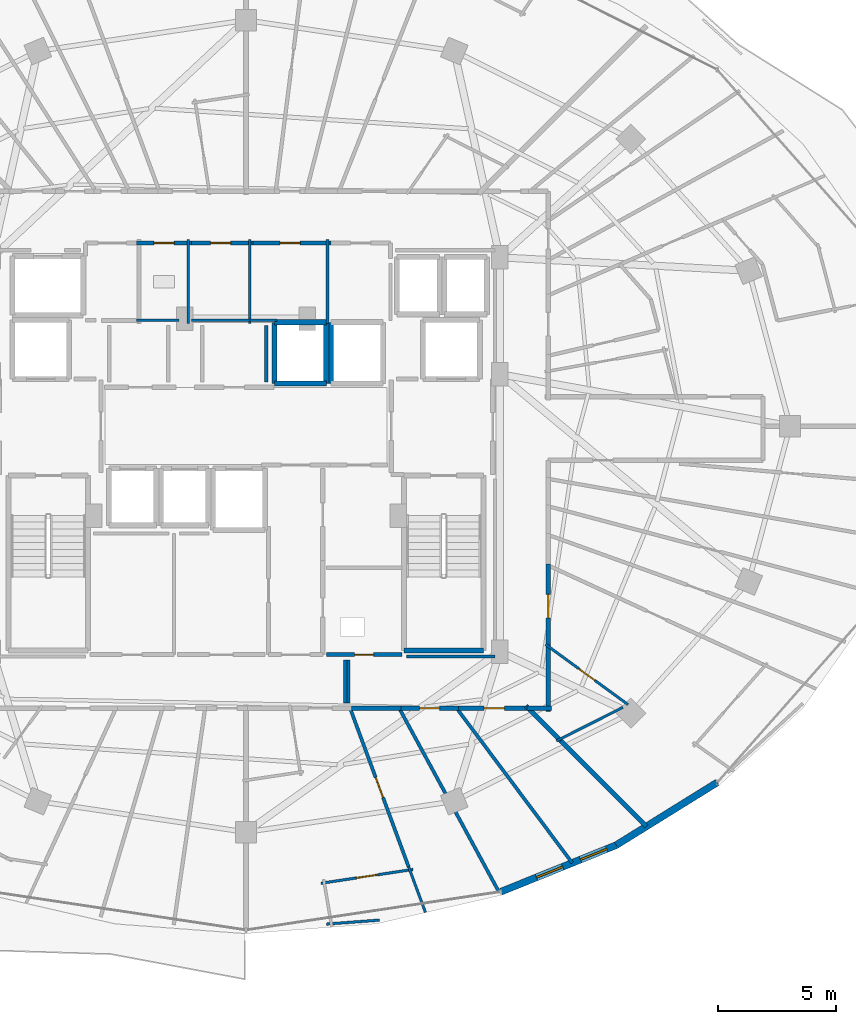
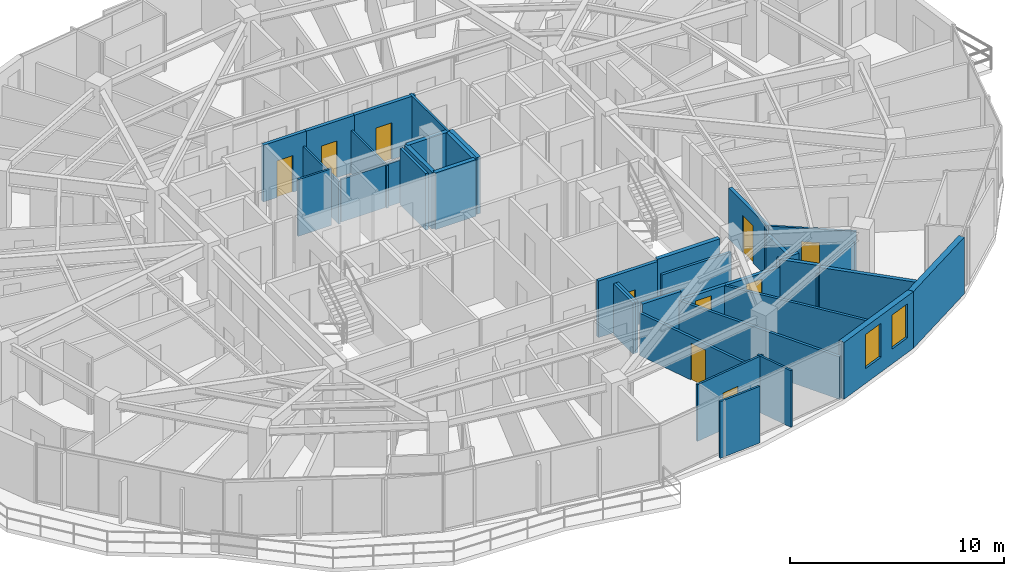
# One storey, part 27 of 34: 38 walls, 10 doors, 2 windows, 12 openings.
"""IFC4 building model written with IfcOpenShell, lengths in metres."""

from ifc_helpers import new_model, si_unit, direction, frame, frame_2d, origin, place, context, subcontext, project, spatial, rectangle, extrude, material, layer, layer_set, type_object, element, fill, save


model = new_model("IFC4")

# Units and contexts
model_context = context("Model", 3, precision=1e-05, world=origin(), true_north=direction((0.0, 1.0)))
body_context = subcontext(model_context, "Body", "Model", "MODEL_VIEW")
ifc_project = project(units=[si_unit("LENGTHUNIT", "METRE"), si_unit("AREAUNIT", "SQUARE_METRE"), si_unit("VOLUMEUNIT", "CUBIC_METRE"), si_unit("PLANEANGLEUNIT", "RADIAN"), si_unit("MASSUNIT", "GRAM", prefix="KILO")], contexts=[model_context])

# Site, building, storey
site_placement = place(None, origin())
site = spatial("IfcSite", under=ifc_project, at=site_placement, CompositionType="ELEMENT")
building_placement = place(site_placement, origin())
building = spatial("IfcBuilding", under=site, at=building_placement, Name="Vorneva Point Tower", CompositionType="ELEMENT")
storey_placement = place(building_placement, frame((0.0, 0.0, 186.10009765625)))
storey = spatial("IfcBuildingStorey", under=building, at=storey_placement, Name="L50", CompositionType="ELEMENT", Elevation=186.10009765625)

# Wall, openings, windows
ifc_material_1 = material(Name="Precast concrete B50 (C40/50)", Category="concrete")
ifc_layer_1 = layer(ifc_material_1, 0.300048828125)
ifc_layer_set_1 = layer_set([ifc_layer_1], Name="Precast concrete B50 (C40/50)")
wall_type_1 = type_object("IfcWallType", Name="WL-EXT-300", PredefinedType="STANDARD", material=ifc_layer_set_1)
wall_1_placement = place(storey_placement, frame((48.80322265625, 6.275146484375, 0.0), z_axis=(0.0, 0.0, 1.0), x_axis=(0.927111094334, 0.374786630981, 0.0)))
wall_1 = element("IfcWall", 1, at=wall_1_placement, inside=storey, type_object=wall_type_1, Name="L50 Pale-Metal Facade Spandrel Wall 14.1", PredefinedType="STANDARD", context=body_context, shape_type="SweptSolid", body=[
    extrude(rectangle(XDim=5.26416015625, YDim=0.300048828125, at=frame_2d((2.632080078125, 0.0))), origin(), (0.0, 0.0, 1.0), 3.239990234375),
])
opening_1_placement = place(wall_1_placement, frame((1.6181640625, 0.0, 0.85009765625)))
opening_1 = element("IfcOpeningElement", 2, at=opening_1_placement, cuts=wall_1, Name="Opening W-04", PredefinedType="OPENING", context=body_context, shape_type="SweptSolid", body=[
    extrude(rectangle(XDim=1.199951171875, YDim=1.949951171875, at=frame_2d((0.60009765625, 0.97509765625))), frame((0.0, 0.1650390625, 0.0), z_axis=(0.0, -1.0, 0.0), x_axis=(1.0, 0.0, 0.0)), (0.0, 0.0, 1.0), 0.329833984375),
])
opening_2_placement = place(wall_1_placement, frame((3.62841796875, 0.0, 0.85009765625)))
opening_2 = element("IfcOpeningElement", 3, at=opening_2_placement, cuts=wall_1, Name="Opening W-04", PredefinedType="OPENING", context=body_context, shape_type="SweptSolid", body=[
    extrude(rectangle(XDim=1.199951171875, YDim=1.949951171875, at=frame_2d((0.60009765625, 0.97509765625))), frame((0.0, 0.1650390625, 0.0), z_axis=(0.0, -1.0, 0.0), x_axis=(1.0, 0.0, 0.0)), (0.0, 0.0, 1.0), 0.329833984375),
])
ifc_material_2 = material(Name="Double low-e laminated glass IGU", Category="glass")
window_type = type_object("IfcWindowType", Name="WN-RES-1200", PartitioningType="SINGLE_PANEL", PredefinedType="WINDOW", material=ifc_material_2)
window_1_placement = place(opening_1_placement, origin())
window_1 = element("IfcWindow", 4, at=window_1_placement, inside=storey, type_object=window_type, Name="L50 Dwelling Vision Window 04", OverallHeight=1.949951171875, OverallWidth=1.199951171875, PartitioningType="SINGLE_PANEL", PredefinedType="WINDOW", context=body_context, shape_type="SweptSolid", body=[
    extrude(rectangle(XDim=1.199951171875, YDim=1.949951171875, at=frame_2d((0.60009765625, 0.97509765625))), frame((0.0, 0.030029296875, 0.0), z_axis=(0.0, -1.0, 0.0), x_axis=(1.0, 0.0, 0.0)), (0.0, 0.0, 1.0), 0.06005859375),
])
fill(opening_1, window_1)
window_2_placement = place(opening_2_placement, origin())
window_2 = element("IfcWindow", 5, at=window_2_placement, inside=storey, type_object=window_type, Name="L50 Dwelling Vision Window 05", OverallHeight=1.949951171875, OverallWidth=1.199951171875, PartitioningType="SINGLE_PANEL", PredefinedType="WINDOW", context=body_context, shape_type="SweptSolid", body=[
    extrude(rectangle(XDim=1.199951171875, YDim=1.949951171875, at=frame_2d((0.60009765625, 0.97509765625))), frame((0.0, 0.030029296875, 0.0), z_axis=(0.0, -1.0, 0.0), x_axis=(1.0, 0.0, 0.0)), (0.0, 0.0, 1.0), 0.06005859375),
])
fill(opening_2, window_2)

# Walls
wall_2_placement = place(storey_placement, frame((53.68359375, 8.248046875, 0.0), z_axis=(0.0, 0.0, 1.0), x_axis=(0.849647657754, 0.527350791858, 0.0)))
element("IfcWall", 6, at=wall_2_placement, inside=storey, type_object=wall_type_1, Name="L50 Pale-Metal Facade Spandrel Wall 14.2", PredefinedType="STANDARD", context=body_context, shape_type="SweptSolid", body=[
    extrude(rectangle(XDim=5.03515625, YDim=0.300048828125, at=frame_2d((2.517578125, 0.0))), origin(), (0.0, 0.0, 1.0), 3.239990234375),
])
ifc_material_3 = material(Name="Fire-rated acoustic gypsum stud partition", Category="gypsum")
ifc_layer_2 = layer(ifc_material_3, 0.110107421875)
ifc_layer_set_2 = layer_set([ifc_layer_2], Name="Fire-rated acoustic gypsum stud partition")
wall_type_2 = type_object("IfcWallType", Name="WL-PART-110", PredefinedType="PARTITIONING", material=ifc_layer_set_2)
wall_3_placement = place(storey_placement, frame((35.550048828125, 30.340087890625, 0.0), z_axis=(0.0, 0.0, 1.0), x_axis=(0.0, 1.0, 0.0)))
element("IfcWall", 7, at=wall_3_placement, inside=storey, type_object=wall_type_2, Name="L50 Interior Partition 020", PredefinedType="PARTITIONING", context=body_context, shape_type="SweptSolid", body=[
    extrude(rectangle(XDim=3.559814453125, YDim=0.110107421875, at=frame_2d((1.77978515625, 0.0))), origin(), (0.0, 0.0, 1.0), 2.431884765625),
])
wall_4_placement = place(storey_placement, frame((33.360107421875, 30.47998046875, 0.0), z_axis=(0.0, 0.0, 1.0), x_axis=(1.0, 0.0, 0.0)))
element("IfcWall", 8, at=wall_4_placement, inside=storey, type_object=wall_type_2, Name="L50 Interior Partition 021", PredefinedType="PARTITIONING", context=body_context, shape_type="SweptSolid", body=[
    extrude(rectangle(XDim=1.809814453125, YDim=0.110107421875, at=frame_2d((0.90478515625, 0.0))), origin(), (0.0, 0.0, 1.0), 3.239990234375),
])
wall_5_placement = place(storey_placement, frame((38.14990234375, 30.340087890625, 0.0), z_axis=(0.0, 0.0, 1.0), x_axis=(0.0, 1.0, 0.0)))
element("IfcWall", 9, at=wall_5_placement, inside=storey, type_object=wall_type_2, Name="L50 Interior Partition 023", PredefinedType="PARTITIONING", context=body_context, shape_type="SweptSolid", body=[
    extrude(rectangle(XDim=3.559814453125, YDim=0.110107421875, at=frame_2d((1.77978515625, 0.0))), origin(), (0.0, 0.0, 1.0), 2.431884765625),
])
wall_6_placement = place(storey_placement, frame((35.679931640625, 30.47998046875, 0.0), z_axis=(0.0, 0.0, 1.0), x_axis=(1.0, 0.0, 0.0)))
element("IfcWall", 10, at=wall_6_placement, inside=storey, type_object=wall_type_2, Name="L50 Interior Partition 024", PredefinedType="PARTITIONING", context=body_context, shape_type="SweptSolid", body=[
    extrude(rectangle(XDim=2.594970703125, YDim=0.110107421875, at=frame_2d((1.29736328125, 0.0))), origin(), (0.0, 0.0, 1.0), 2.431884765625),
])
wall_7_placement = place(storey_placement, frame((41.449951171875, 30.340087890625, 0.0), z_axis=(0.0, 0.0, 1.0), x_axis=(0.0, 1.0, 0.0)))
element("IfcWall", 11, at=wall_7_placement, inside=storey, type_object=wall_type_2, Name="L50 Interior Partition 026", PredefinedType="PARTITIONING", context=body_context, shape_type="SweptSolid", body=[
    extrude(rectangle(XDim=3.559814453125, YDim=0.110107421875, at=frame_2d((1.77978515625, 0.0))), origin(), (0.0, 0.0, 1.0), 3.239990234375),
])
wall_8_placement = place(storey_placement, frame((38.1650390625, 30.47998046875, 0.0), z_axis=(0.0, 0.0, 1.0), x_axis=(1.0, 0.0, 0.0)))
element("IfcWall", 12, at=wall_8_placement, inside=storey, type_object=wall_type_2, Name="L50 Interior Partition 027", PredefinedType="PARTITIONING", context=body_context, shape_type="SweptSolid", body=[
    extrude(rectangle(XDim=1.155029296875, YDim=0.110107421875, at=frame_2d((0.57763671875, 0.0))), origin(), (0.0, 0.0, 1.0), 2.431884765625),
])

# Wall, opening, door
wall_9_placement = place(storey_placement, frame((41.175537109375, 6.63330078125, 0.0), z_axis=(0.0, 0.0, 1.0), x_axis=(0.988877230123, 0.148734070555, 0.0)))
wall_9 = element("IfcWall", 13, at=wall_9_placement, inside=storey, type_object=wall_type_2, Name="L50 Interior Partition 178", PredefinedType="PARTITIONING", context=body_context, shape_type="SweptSolid", body=[
    extrude(rectangle(XDim=3.94287109375, YDim=0.110107421875, at=frame_2d((1.971435546875, 0.0))), origin(), (0.0, 0.0, 1.0), 3.239990234375),
])
opening_3_placement = place(wall_9_placement, frame((1.521240234375, 0.0, 0.0)))
opening_3 = element("IfcOpeningElement", 14, at=opening_3_placement, cuts=wall_9, Name="Opening ID-01", PredefinedType="OPENING", context=body_context, shape_type="SweptSolid", body=[
    extrude(rectangle(XDim=0.89990234375, YDim=2.10009765625, at=frame_2d((0.449951171875, 1.050048828125))), frame((0.0, 0.06982421875, 0.0), z_axis=(0.0, -1.0, 0.0), x_axis=(1.0, 0.0, 0.0)), (0.0, 0.0, 1.0), 0.139892578125),
])
ifc_material_4 = material(Name="Engineered oak fire-rated door leaf", Category="wood")
door_type_1 = type_object("IfcDoorType", Name="DR-ROOM-900", OperationType="NOTDEFINED", PredefinedType="DOOR", material=ifc_material_4)
door_1_placement = place(opening_3_placement, origin())
door_1 = element("IfcDoor", 15, at=door_1_placement, inside=storey, type_object=door_type_1, Name="L50 Door Living and Dining Room L50-07 / Kitchen L50-07", OperationType="SINGLE_SWING_RIGHT", OverallHeight=2.10009765625, OverallWidth=0.89990234375, PredefinedType="DOOR", context=body_context, shape_type="SweptSolid", body=[
    extrude(rectangle(XDim=0.89990234375, YDim=2.10009765625, at=frame_2d((0.449951171875, 1.050048828125))), frame((0.0, 0.02490234375, 0.0), z_axis=(0.0, -1.0, 0.0), x_axis=(1.0, 0.0, 0.0)), (0.0, 0.0, 1.0), 0.050048828125),
])
fill(opening_3, door_1)

# Walls
wall_10_placement = place(storey_placement, frame((44.887451171875, 7.330322265625, 0.0), z_axis=(0.0, 0.0, 1.0), x_axis=(0.346337161188, -0.938110105894, 0.0)))
element("IfcWall", 16, at=wall_10_placement, inside=storey, type_object=wall_type_2, Name="L50 Interior Partition 179", PredefinedType="PARTITIONING", context=body_context, shape_type="SweptSolid", body=[
    extrude(rectangle(XDim=2.05908203125, YDim=0.110107421875, at=frame_2d((1.029541015625, 0.0))), origin(), (0.0, 0.0, 1.0), 3.239990234375),
])
wall_11_placement = place(storey_placement, frame((41.411376953125, 4.904541015625, 0.0), z_axis=(0.0, 0.0, 1.0), x_axis=(0.997205784552, 0.074703569226, 0.0)))
element("IfcWall", 17, at=wall_11_placement, inside=storey, type_object=wall_type_2, Name="L50 Interior Partition 180", PredefinedType="PARTITIONING", context=body_context, shape_type="SweptSolid", body=[
    extrude(rectangle(XDim=2.24853515625, YDim=0.110107421875, at=frame_2d((1.124267578125, 0.0))), origin(), (0.0, 0.0, 1.0), 3.239990234375),
])

# Wall, opening, door
wall_12_placement = place(storey_placement, frame((50.68701171875, 16.75244140625, 0.0), z_axis=(0.0, 0.0, 1.0), x_axis=(0.808074646764, -0.589080100883, 0.0)))
wall_12 = element("IfcWall", 18, at=wall_12_placement, inside=storey, type_object=wall_type_2, Name="L50 Interior Partition 186", PredefinedType="PARTITIONING", context=body_context, shape_type="SweptSolid", body=[
    extrude(rectangle(XDim=4.328857421875, YDim=0.110107421875, at=frame_2d((2.16455078125, 0.0))), origin(), (0.0, 0.0, 1.0), 2.8740234375),
])
opening_4_placement = place(wall_12_placement, frame((1.739501953125, 0.0, 0.0)))
opening_4 = element("IfcOpeningElement", 19, at=opening_4_placement, cuts=wall_12, Name="Opening ID-02", PredefinedType="OPENING", context=body_context, shape_type="SweptSolid", body=[
    extrude(rectangle(XDim=0.85009765625, YDim=2.10009765625, at=frame_2d((0.425048828125, 1.050048828125))), frame((0.0, 0.06982421875, 0.0), z_axis=(0.0, -1.0, 0.0), x_axis=(1.0, 0.0, 0.0)), (0.0, 0.0, 1.0), 0.139892578125),
])
door_type_2 = type_object("IfcDoorType", Name="DR-BATH-850", OperationType="NOTDEFINED", PredefinedType="DOOR", material=ifc_material_4)
door_2_placement = place(opening_4_placement, origin())
door_2 = element("IfcDoor", 20, at=door_2_placement, inside=storey, type_object=door_type_2, Name="L50 Door Living and Dining Room L50-08 / Bathroom L50-08", OperationType="SINGLE_SWING_RIGHT", OverallHeight=2.10009765625, OverallWidth=0.85009765625, PredefinedType="DOOR", context=body_context, shape_type="SweptSolid", body=[
    extrude(rectangle(XDim=0.85009765625, YDim=2.10009765625, at=frame_2d((0.425048828125, 1.050048828125))), frame((0.0, 0.02490234375, 0.0), z_axis=(0.0, -1.0, 0.0), x_axis=(1.0, 0.0, 0.0)), (0.0, 0.0, 1.0), 0.050048828125),
])
fill(opening_4, door_2)

# Wall
wall_13_placement = place(storey_placement, frame((53.964111328125, 14.085205078125, 0.0), z_axis=(0.0, 0.0, 1.0), x_axis=(-0.892546166909, -0.450956028828, 0.0)))
element("IfcWall", 21, at=wall_13_placement, inside=storey, type_object=wall_type_2, Name="L50 Interior Partition 187", PredefinedType="PARTITIONING", context=body_context, shape_type="SweptSolid", body=[
    extrude(rectangle(XDim=3.154052734375, YDim=0.110107421875, at=frame_2d((1.5771484375, 0.0))), origin(), (0.0, 0.0, 1.0), 2.431884765625),
])

# Wall, opening, door
ifc_layer_3 = layer(ifc_material_3, 0.139892578125)
ifc_layer_set_3 = layer_set([ifc_layer_3], Name="Fire-rated acoustic gypsum stud partition")
wall_type_3 = type_object("IfcWallType", Name="WL-PART-140", PredefinedType="PARTITIONING", material=ifc_layer_set_3)
wall_14_placement = place(storey_placement, frame((44.8876953125, 7.330322265625, 0.0), z_axis=(0.0, 0.0, 1.0), x_axis=(-0.346082862485, 0.938203950266, 0.0)))
wall_14 = element("IfcWall", 22, at=wall_14_placement, inside=storey, type_object=wall_type_3, Name="L50 Interior Partition 181", PredefinedType="PARTITIONING", context=body_context, shape_type="SweptSolid", body=[
    extrude(rectangle(XDim=7.162353515625, YDim=0.139892578125, at=frame_2d((3.5810546875, 0.0))), origin(), (0.0, 0.0, 1.0), 2.431884765625),
])
opening_5_placement = place(wall_14_placement, frame((3.131103515625, 0.0, 0.0)))
opening_5 = element("IfcOpeningElement", 23, at=opening_5_placement, cuts=wall_14, Name="Opening ID-01", PredefinedType="OPENING", context=body_context, shape_type="SweptSolid", body=[
    extrude(rectangle(XDim=0.89990234375, YDim=2.10009765625, at=frame_2d((0.449951171875, 1.050048828125))), frame((0.0, 0.0849609375, 0.0), z_axis=(0.0, -1.0, 0.0), x_axis=(1.0, 0.0, 0.0)), (0.0, 0.0, 1.0), 0.169677734375),
])
door_3_placement = place(opening_5_placement, origin())
door_3 = element("IfcDoor", 24, at=door_3_placement, inside=storey, type_object=door_type_1, Name="L50 Door Living and Dining Room L50-07 / Master Bedroom L50-07.1", OperationType="SINGLE_SWING_LEFT", OverallHeight=2.10009765625, OverallWidth=0.89990234375, PredefinedType="DOOR", context=body_context, shape_type="SweptSolid", body=[
    extrude(rectangle(XDim=0.89990234375, YDim=2.10009765625, at=frame_2d((0.449951171875, 1.050048828125))), frame((0.0, 0.02490234375, 0.0), z_axis=(0.0, -1.0, 0.0), x_axis=(1.0, 0.0, 0.0)), (0.0, 0.0, 1.0), 0.050048828125),
])
fill(opening_5, door_3)

# Walls
wall_15_placement = place(storey_placement, frame((48.718994140625, 6.258056640625, 0.0), z_axis=(0.0, 0.0, 1.0), x_axis=(-0.477180576465, 0.878805267078, 0.0)))
element("IfcWall", 25, at=wall_15_placement, inside=storey, type_object=wall_type_3, Name="L50 Interior Partition 182", PredefinedType="PARTITIONING", context=body_context, shape_type="SweptSolid", body=[
    extrude(rectangle(XDim=8.866455078125, YDim=0.139892578125, at=frame_2d((4.43310546875, 0.0))), origin(), (0.0, 0.0, 1.0), 2.431884765625),
])
wall_16_placement = place(storey_placement, frame((51.818115234375, 7.49609375, 0.0), z_axis=(0.0, 0.0, 1.0), x_axis=(-0.598399090147, 0.801198183292, 0.0)))
element("IfcWall", 26, at=wall_16_placement, inside=storey, type_object=wall_type_3, Name="L50 Interior Partition 183", PredefinedType="PARTITIONING", context=body_context, shape_type="SweptSolid", body=[
    extrude(rectangle(XDim=8.18017578125, YDim=0.139892578125, at=frame_2d((4.090087890625, 0.0))), origin(), (0.0, 0.0, 1.0), 2.431884765625),
])
wall_17_placement = place(storey_placement, frame((38.85009765625, 27.8701171875, 0.0), z_axis=(0.0, 0.0, 1.0), x_axis=(0.0, 1.0, 0.0)))
element("IfcWall", 27, at=wall_17_placement, inside=storey, type_object=wall_type_3, Name="L50 Interior Closure Partition 206", PredefinedType="PARTITIONING", context=body_context, shape_type="SweptSolid", body=[
    extrude(rectangle(XDim=2.389892578125, YDim=0.139892578125, at=frame_2d((1.19482421875, 0.0))), origin(), (0.0, 0.0, 1.0), 3.239990234375),
])
for number, where, z_axis, x_axis, name in (
    (28, (42.199951171875, 16.10009765625, 0.0), (0.0, 0.0, 1.0), (0.0, -1.0, 0.0), "L50 Interior Closure Partition 214"),
    (29, (42.340087890625, 14.27001953125, 0.0), (0.0, 0.0, 1.0), (0.0, 1.0, 0.0), "L50 Interior Closure Partition 215"),
):
    element("IfcWall", number, at=place(storey_placement, frame(where, z_axis=z_axis, x_axis=x_axis)), inside=storey, type_object=wall_type_3, Name=name, PredefinedType="PARTITIONING", context=body_context, shape_type="SweptSolid", body=[
        extrude(rectangle(XDim=1.830078125, YDim=0.139892578125, at=frame_2d((0.9150390625, 0.0))), origin(), (0.0, 0.0, 1.0), 2.921875),
    ])
wall_18_placement = place(storey_placement, frame((44.804931640625, 16.239990234375, 0.0), z_axis=(0.0, 0.0, 1.0), x_axis=(1.0, 0.0, 0.0)))
element("IfcWall", 30, at=wall_18_placement, inside=storey, type_object=wall_type_3, Name="L50 Interior Closure Partition 216", PredefinedType="PARTITIONING", context=body_context, shape_type="SweptSolid", body=[
    extrude(rectangle(XDim=3.7451171875, YDim=0.139892578125, at=frame_2d((1.87255859375, 0.0))), origin(), (0.0, 0.0, 1.0), 2.431884765625),
])

# Wall, opening, door
ifc_material_5 = material(Name="Autoclaved aerated concrete blockwork", Category="masonry")
ifc_layer_4 = layer(ifc_material_5, 0.179931640625)
ifc_layer_set_4 = layer_set([ifc_layer_4], Name="Autoclaved aerated concrete blockwork")
wall_type_4 = type_object("IfcWallType", Name="WL-PART-180", PredefinedType="PARTITIONING", material=ifc_layer_set_4)
wall_19_placement = place(storey_placement, frame((41.39990234375, 16.320068359375, 0.0), z_axis=(0.0, 0.0, 1.0), x_axis=(1.0, 0.0, 0.0)))
wall_19 = element("IfcWall", 31, at=wall_19_placement, inside=storey, type_object=wall_type_4, Name="L50 Interior Partition 019", PredefinedType="PARTITIONING", context=body_context, shape_type="SweptSolid", body=[
    extrude(rectangle(XDim=3.2001953125, YDim=0.179931640625, at=frame_2d((1.60009765625, 0.0))), origin(), (0.0, 0.0, 1.0), 3.239990234375),
])
opening_6_placement = place(wall_19_placement, frame((1.199951171875, 0.0, 0.0)))
opening_6 = element("IfcOpeningElement", 32, at=opening_6_placement, cuts=wall_19, Name="Opening RD-01", PredefinedType="OPENING", context=body_context, shape_type="SweptSolid", body=[
    extrude(rectangle(XDim=0.800048828125, YDim=2.050048828125, at=frame_2d((0.39990234375, 1.02490234375))), frame((0.0, 0.10498046875, 0.0), z_axis=(0.0, -1.0, 0.0), x_axis=(1.0, 0.0, 0.0)), (0.0, 0.0, 1.0), 0.209716796875),
])
ifc_material_6 = material(Name="Fire-rated powder-coated steel", Category="steel")
door_type_3 = type_object("IfcDoorType", Name="DR-RSR-800", OperationType="SINGLE_SWING_LEFT", PredefinedType="DOOR", material=ifc_material_6)
door_4_placement = place(opening_6_placement, origin())
door_4 = element("IfcDoor", 33, at=door_4_placement, inside=storey, type_object=door_type_3, Name="L50 Door Electrical Riser / L50 Circulation Corridor", OperationType="SINGLE_SWING_RIGHT", OverallHeight=2.050048828125, OverallWidth=0.800048828125, PredefinedType="DOOR", context=body_context, shape_type="SweptSolid", body=[
    extrude(rectangle(XDim=0.800048828125, YDim=2.050048828125, at=frame_2d((0.39990234375, 1.02490234375))), frame((0.0, 0.02490234375, 0.0), z_axis=(0.0, -1.0, 0.0), x_axis=(1.0, 0.0, 0.0)), (0.0, 0.0, 1.0), 0.050048828125),
])
fill(opening_6, door_4)

wall_20_placement = place(storey_placement, frame((35.68994140625, 33.760009765625, 0.0), z_axis=(0.0, 0.0, 1.0), x_axis=(-1.0, 0.0, 0.0)))
wall_20 = element("IfcWall", 34, at=wall_20_placement, inside=storey, type_object=wall_type_4, Name="L50 Interior Partition 022", PredefinedType="PARTITIONING", context=body_context, shape_type="SweptSolid", body=[
    extrude(rectangle(XDim=2.329833984375, YDim=0.179931640625, at=frame_2d((1.1650390625, 0.0))), origin(), (0.0, 0.0, 1.0), 3.239990234375),
])
opening_7_placement = place(wall_20_placement, frame((0.739990234375, 0.0, 0.0)))
opening_7 = element("IfcOpeningElement", 35, at=opening_7_placement, cuts=wall_20, Name="Opening ID-02", PredefinedType="OPENING", context=body_context, shape_type="SweptSolid", body=[
    extrude(rectangle(XDim=0.85009765625, YDim=2.10009765625, at=frame_2d((0.425048828125, 1.050048828125))), frame((0.0, 0.10498046875, 0.0), z_axis=(0.0, -1.0, 0.0), x_axis=(1.0, 0.0, 0.0)), (0.0, 0.0, 1.0), 0.209716796875),
])
door_5_placement = place(opening_7_placement, origin())
door_5 = element("IfcDoor", 36, at=door_5_placement, inside=storey, type_object=door_type_2, Name="L50 Door Accessible WC / L50 Circulation Corridor", OperationType="SINGLE_SWING_LEFT", OverallHeight=2.10009765625, OverallWidth=0.85009765625, PredefinedType="DOOR", context=body_context, shape_type="SweptSolid", body=[
    extrude(rectangle(XDim=0.85009765625, YDim=2.10009765625, at=frame_2d((0.425048828125, 1.050048828125))), frame((0.0, 0.02490234375, 0.0), z_axis=(0.0, -1.0, 0.0), x_axis=(1.0, 0.0, 0.0)), (0.0, 0.0, 1.0), 0.050048828125),
])
fill(opening_7, door_5)

wall_21_placement = place(storey_placement, frame((38.2900390625, 33.760009765625, 0.0), z_axis=(0.0, 0.0, 1.0), x_axis=(-1.0, 0.0, 0.0)))
wall_21 = element("IfcWall", 37, at=wall_21_placement, inside=storey, type_object=wall_type_4, Name="L50 Interior Partition 025", PredefinedType="PARTITIONING", context=body_context, shape_type="SweptSolid", body=[
    extrude(rectangle(XDim=2.739990234375, YDim=0.179931640625, at=frame_2d((1.3701171875, 0.0))), origin(), (0.0, 0.0, 1.0), 3.239990234375),
])
opening_8_placement = place(wall_21_placement, frame((0.945068359375, 0.0, 0.0)))
opening_8 = element("IfcOpeningElement", 38, at=opening_8_placement, cuts=wall_21, Name="Opening ID-02", PredefinedType="OPENING", context=body_context, shape_type="SweptSolid", body=[
    extrude(rectangle(XDim=0.85009765625, YDim=2.10009765625, at=frame_2d((0.425048828125, 1.050048828125))), frame((0.0, 0.10498046875, 0.0), z_axis=(0.0, -1.0, 0.0), x_axis=(1.0, 0.0, 0.0)), (0.0, 0.0, 1.0), 0.209716796875),
])
door_6_placement = place(opening_8_placement, origin())
door_6 = element("IfcDoor", 39, at=door_6_placement, inside=storey, type_object=door_type_2, Name="L50 Door Public Male WC / L50 Circulation Corridor", OperationType="SINGLE_SWING_RIGHT", OverallHeight=2.10009765625, OverallWidth=0.85009765625, PredefinedType="DOOR", context=body_context, shape_type="SweptSolid", body=[
    extrude(rectangle(XDim=0.85009765625, YDim=2.10009765625, at=frame_2d((0.425048828125, 1.050048828125))), frame((0.0, 0.02490234375, 0.0), z_axis=(0.0, -1.0, 0.0), x_axis=(1.0, 0.0, 0.0)), (0.0, 0.0, 1.0), 0.050048828125),
])
fill(opening_8, door_6)

wall_22_placement = place(storey_placement, frame((41.590087890625, 33.760009765625, 0.0), z_axis=(0.0, 0.0, 1.0), x_axis=(-1.0, 0.0, 0.0)))
wall_22 = element("IfcWall", 40, at=wall_22_placement, inside=storey, type_object=wall_type_4, Name="L50 Interior Partition 028", PredefinedType="PARTITIONING", context=body_context, shape_type="SweptSolid", body=[
    extrude(rectangle(XDim=3.440185546875, YDim=0.179931640625, at=frame_2d((1.72021484375, 0.0))), origin(), (0.0, 0.0, 1.0), 3.239990234375),
])
opening_9_placement = place(wall_22_placement, frame((1.294921875, 0.0, 0.0)))
opening_9 = element("IfcOpeningElement", 41, at=opening_9_placement, cuts=wall_22, Name="Opening ID-02", PredefinedType="OPENING", context=body_context, shape_type="SweptSolid", body=[
    extrude(rectangle(XDim=0.85009765625, YDim=2.10009765625, at=frame_2d((0.425048828125, 1.050048828125))), frame((0.0, 0.10498046875, 0.0), z_axis=(0.0, -1.0, 0.0), x_axis=(1.0, 0.0, 0.0)), (0.0, 0.0, 1.0), 0.209716796875),
])
door_7_placement = place(opening_9_placement, origin())
door_7 = element("IfcDoor", 42, at=door_7_placement, inside=storey, type_object=door_type_2, Name="L50 Door Public Female WC / L50 Circulation Corridor", OperationType="SINGLE_SWING_LEFT", OverallHeight=2.10009765625, OverallWidth=0.85009765625, PredefinedType="DOOR", context=body_context, shape_type="SweptSolid", body=[
    extrude(rectangle(XDim=0.85009765625, YDim=2.10009765625, at=frame_2d((0.425048828125, 1.050048828125))), frame((0.0, 0.02490234375, 0.0), z_axis=(0.0, -1.0, 0.0), x_axis=(1.0, 0.0, 0.0)), (0.0, 0.0, 1.0), 0.050048828125),
])
fill(opening_9, door_7)

# Wall
wall_23_placement = place(storey_placement, frame((42.472900390625, 14.050048828125, 0.0), z_axis=(0.0, 0.0, 1.0), x_axis=(1.0, 0.0, 0.0)))
element("IfcWall", 43, at=wall_23_placement, inside=storey, type_object=wall_type_4, Name="L50 Interior Partition 083", PredefinedType="PARTITIONING", context=body_context, shape_type="SweptSolid", body=[
    extrude(rectangle(XDim=2.0830078125, YDim=0.179931640625, at=frame_2d((1.04150390625, 0.0))), origin(), (0.0, 0.0, 1.0), 2.921875),
])

# Wall, opening, door
wall_24_placement = place(storey_placement, frame((44.555908203125, 14.050048828125, 0.0), z_axis=(0.0, 0.0, 1.0), x_axis=(1.0, 0.0, 0.0)))
wall_24 = element("IfcWall", 44, at=wall_24_placement, inside=storey, type_object=wall_type_4, Name="L50 Interior Partition 084", PredefinedType="PARTITIONING", context=body_context, shape_type="SweptSolid", body=[
    extrude(rectangle(XDim=2.442138671875, YDim=0.179931640625, at=frame_2d((1.22119140625, 0.0))), origin(), (0.0, 0.0, 1.0), 2.431884765625),
])
opening_10_placement = place(wall_24_placement, frame((0.7958984375, 0.0, 0.0)))
opening_10 = element("IfcOpeningElement", 45, at=opening_10_placement, cuts=wall_24, Name="Opening ID-02", PredefinedType="OPENING", context=body_context, shape_type="SweptSolid", body=[
    extrude(rectangle(XDim=0.85009765625, YDim=2.10009765625, at=frame_2d((0.425048828125, 1.050048828125))), frame((0.0, 0.10498046875, 0.0), z_axis=(0.0, -1.0, 0.0), x_axis=(1.0, 0.0, 0.0)), (0.0, 0.0, 1.0), 0.209716796875),
])
door_8_placement = place(opening_10_placement, origin())
door_8 = element("IfcDoor", 46, at=door_8_placement, inside=storey, type_object=door_type_2, Name="L50 Access Door L50 Circulation Corridor", OperationType="SINGLE_SWING_RIGHT", OverallHeight=2.10009765625, OverallWidth=0.85009765625, PredefinedType="DOOR", context=body_context, shape_type="SweptSolid", body=[
    extrude(rectangle(XDim=0.85009765625, YDim=2.10009765625, at=frame_2d((0.425048828125, 1.050048828125))), frame((0.0, 0.02490234375, 0.0), z_axis=(0.0, -1.0, 0.0), x_axis=(1.0, 0.0, 0.0)), (0.0, 0.0, 1.0), 0.050048828125),
])
fill(opening_10, door_8)

wall_25_placement = place(storey_placement, frame((46.998046875, 14.050048828125, 0.0), z_axis=(0.0, 0.0, 1.0), x_axis=(1.0, 0.0, 0.0)))
wall_25 = element("IfcWall", 47, at=wall_25_placement, inside=storey, type_object=wall_type_4, Name="L50 Interior Partition 085", PredefinedType="PARTITIONING", context=body_context, shape_type="SweptSolid", body=[
    extrude(rectangle(XDim=3.036865234375, YDim=0.179931640625, at=frame_2d((1.5185546875, 0.0))), origin(), (0.0, 0.0, 1.0), 2.431884765625),
])
opening_11_placement = place(wall_25_placement, frame((1.093505859375, 0.0, 0.0)))
opening_11 = element("IfcOpeningElement", 48, at=opening_11_placement, cuts=wall_25, Name="Opening ID-02", PredefinedType="OPENING", context=body_context, shape_type="SweptSolid", body=[
    extrude(rectangle(XDim=0.85009765625, YDim=2.10009765625, at=frame_2d((0.425048828125, 1.050048828125))), frame((0.0, 0.10498046875, 0.0), z_axis=(0.0, -1.0, 0.0), x_axis=(1.0, 0.0, 0.0)), (0.0, 0.0, 1.0), 0.209716796875),
])
door_9_placement = place(opening_11_placement, origin())
door_9 = element("IfcDoor", 49, at=door_9_placement, inside=storey, type_object=door_type_2, Name="L50 Access Door L50 Circulation Corridor", OperationType="SINGLE_SWING_LEFT", OverallHeight=2.10009765625, OverallWidth=0.85009765625, PredefinedType="DOOR", context=body_context, shape_type="SweptSolid", body=[
    extrude(rectangle(XDim=0.85009765625, YDim=2.10009765625, at=frame_2d((0.425048828125, 1.050048828125))), frame((0.0, 0.02490234375, 0.0), z_axis=(0.0, -1.0, 0.0), x_axis=(1.0, 0.0, 0.0)), (0.0, 0.0, 1.0), 0.050048828125),
])
fill(opening_11, door_9)

wall_26_placement = place(storey_placement, frame((50.800048828125, 16.595947265625, 0.0), z_axis=(0.0, 0.0, 1.0), x_axis=(0.0, 1.0, 0.0)))
wall_26 = element("IfcWall", 50, at=wall_26_placement, inside=storey, type_object=wall_type_4, Name="L50 Interior Partition 086", PredefinedType="PARTITIONING", context=body_context, shape_type="SweptSolid", body=[
    extrude(rectangle(XDim=3.56298828125, YDim=0.179931640625, at=frame_2d((1.781494140625, 0.0))), origin(), (0.0, 0.0, 1.0), 2.921875),
])
opening_12_placement = place(wall_26_placement, frame((1.281494140625, 0.0, 0.0)))
opening_12 = element("IfcOpeningElement", 51, at=opening_12_placement, cuts=wall_26, Name="Opening UD-01", PredefinedType="OPENING", context=body_context, shape_type="SweptSolid", body=[
    extrude(rectangle(XDim=1.0, YDim=2.14990234375, at=frame_2d((0.5, 1.074951171875))), frame((0.0, 0.10498046875, 0.0), z_axis=(0.0, -1.0, 0.0), x_axis=(1.0, 0.0, 0.0)), (0.0, 0.0, 1.0), 0.209716796875),
])
door_type_4 = type_object("IfcDoorType", Name="DR-UNIT-1000", OperationType="NOTDEFINED", PredefinedType="DOOR", material=ifc_material_4)
door_10_placement = place(opening_12_placement, origin())
door_10 = element("IfcDoor", 52, at=door_10_placement, inside=storey, type_object=door_type_4, Name="L50 Door L50 Circulation Corridor / Living and Dining Room L50-08", OperationType="SINGLE_SWING_LEFT", OverallHeight=2.14990234375, OverallWidth=1.0, PredefinedType="DOOR", context=body_context, shape_type="SweptSolid", body=[
    extrude(rectangle(XDim=1.0, YDim=2.14990234375, at=frame_2d((0.5, 1.074951171875))), frame((0.0, 0.02490234375, 0.0), z_axis=(0.0, -1.0, 0.0), x_axis=(1.0, 0.0, 0.0)), (0.0, 0.0, 1.0), 0.050048828125),
])
fill(opening_12, door_10)

# Walls
wall_27_placement = place(storey_placement, frame((49.89501953125, 14.050048828125, 0.0), z_axis=(0.0, 0.0, 1.0), x_axis=(1.0, 0.0, 0.0)))
element("IfcWall", 53, at=wall_27_placement, inside=storey, type_object=wall_type_4, Name="L50 Interior Partition 087", PredefinedType="PARTITIONING", context=body_context, shape_type="SweptSolid", body=[
    extrude(rectangle(XDim=1.044921875, YDim=0.179931640625, at=frame_2d((0.5224609375, 0.0))), origin(), (0.0, 0.0, 1.0), 2.8740234375),
])
wall_28_placement = place(storey_placement, frame((50.800048828125, 13.909912109375, 0.0), z_axis=(0.0, 0.0, 1.0), x_axis=(0.0, 1.0, 0.0)))
element("IfcWall", 54, at=wall_28_placement, inside=storey, type_object=wall_type_4, Name="L50 Interior Partition 088", PredefinedType="PARTITIONING", context=body_context, shape_type="SweptSolid", body=[
    extrude(rectangle(XDim=2.826171875, YDim=0.179931640625, at=frame_2d((1.4130859375, 0.0))), origin(), (0.0, 0.0, 1.0), 2.431884765625),
])
ifc_layer_5 = layer(ifc_material_5, 0.199951171875)
ifc_layer_set_5 = layer_set([ifc_layer_5], Name="Autoclaved aerated concrete blockwork")
wall_type_5 = type_object("IfcWallType", Name="WL-PART-200", PredefinedType="PARTITIONING", material=ifc_layer_set_5)
wall_29_placement = place(storey_placement, frame((54.958984375, 9.041015625, 0.0), z_axis=(0.0, 0.0, 1.0), x_axis=(-0.707106781187, 0.707106781187, 0.0)))
element("IfcWall", 55, at=wall_29_placement, inside=storey, type_object=wall_type_5, Name="L50 Interior Partition 184", PredefinedType="PARTITIONING", context=body_context, shape_type="SweptSolid", body=[
    extrude(rectangle(XDim=5.270751953125, YDim=0.199951171875, at=frame_2d((2.63525390625, 0.0))), origin(), (0.0, 0.0, 1.0), 2.77392578125),
])
wall_30_placement = place(storey_placement, frame((51.3310546875, 12.6689453125, 0.0), z_axis=(0.0, 0.0, 1.0), x_axis=(-0.707106781187, 0.707106781187, 0.0)))
element("IfcWall", 56, at=wall_30_placement, inside=storey, type_object=wall_type_5, Name="L50 Interior Partition 185", PredefinedType="PARTITIONING", context=body_context, shape_type="SweptSolid", body=[
    extrude(rectangle(XDim=2.093017578125, YDim=0.199951171875, at=frame_2d((1.04638671875, 0.0))), origin(), (0.0, 0.0, 1.0), 2.8740234375),
])
ifc_material_7 = material(Name="Concrete B50 (C40/50)", Category="concrete")
ifc_layer_6 = layer(ifc_material_7, 0.219970703125)
ifc_layer_set_6 = layer_set([ifc_layer_6], Name="Concrete B50 (C40/50)")
wall_type_6 = type_object("IfcWallType", Name="WL-SHFT-220", PredefinedType="SOLIDWALL", material=ifc_layer_set_6)
wall_31_placement = place(storey_placement, frame((48.06005859375, 16.489990234375, 0.0), z_axis=(0.0, 0.0, 1.0), x_axis=(-1.0, 0.0, 0.0)))
element("IfcWall", 57, at=wall_31_placement, inside=storey, type_object=wall_type_6, Name="L50 Exit Stair ST2 Shaft Wall far", PredefinedType="SOLIDWALL", context=body_context, shape_type="SweptSolid", body=[
    extrude(rectangle(XDim=3.3701171875, YDim=0.219970703125, at=frame_2d((1.68505859375, 0.0))), origin(), (0.0, 0.0, 1.0), 3.239990234375),
])
wall_32_placement = place(storey_placement, frame((39.199951171875, 27.800048828125, 0.0), z_axis=(0.0, 0.0, 1.0), x_axis=(1.0, 0.0, 0.0)))
element("IfcWall", 58, at=wall_32_placement, inside=storey, type_object=wall_type_6, Name="L50 Lift PL7 Shaft Wall -Y", PredefinedType="SOLIDWALL", context=body_context, shape_type="SweptSolid", body=[
    extrude(rectangle(XDim=2.199951171875, YDim=0.219970703125, at=frame_2d((1.10009765625, 0.0))), origin(), (0.0, 0.0, 1.0), 3.239990234375),
])
wall_33_placement = place(storey_placement, frame((41.39990234375, 27.800048828125, 0.0), z_axis=(0.0, 0.0, 1.0), x_axis=(0.0, 1.0, 0.0)))
element("IfcWall", 59, at=wall_33_placement, inside=storey, type_object=wall_type_6, Name="L50 Lift PL7 Shaft Wall +X", PredefinedType="SOLIDWALL", context=body_context, shape_type="SweptSolid", body=[
    extrude(rectangle(XDim=2.599853515625, YDim=0.219970703125, at=frame_2d((1.2998046875, 0.0))), origin(), (0.0, 0.0, 1.0), 3.239990234375),
])
wall_34_placement = place(storey_placement, frame((41.39990234375, 30.39990234375, 0.0), z_axis=(0.0, 0.0, 1.0), x_axis=(-1.0, 0.0, 0.0)))
element("IfcWall", 60, at=wall_34_placement, inside=storey, type_object=wall_type_6, Name="L50 Lift PL7 Shaft Wall +Y", PredefinedType="SOLIDWALL", context=body_context, shape_type="SweptSolid", body=[
    extrude(rectangle(XDim=2.199951171875, YDim=0.219970703125, at=frame_2d((1.10009765625, 0.0))), origin(), (0.0, 0.0, 1.0), 3.239990234375),
])
for number, where, z_axis, x_axis, name in (
    (61, (39.199951171875, 30.39990234375, 0.0), (0.0, 0.0, 1.0), (0.0, -1.0, 0.0), "L50 Lift PL7 Shaft Wall -X"),
    (62, (41.60009765625, 30.39990234375, 0.0), (0.0, 0.0, 1.0), (0.0, -1.0, 0.0), "L50 Lift PL8 Shaft Wall -X"),
):
    element("IfcWall", number, at=place(storey_placement, frame(where, z_axis=z_axis, x_axis=x_axis)), inside=storey, type_object=wall_type_6, Name=name, PredefinedType="SOLIDWALL", context=body_context, shape_type="SweptSolid", body=[
        extrude(rectangle(XDim=2.599853515625, YDim=0.219970703125, at=frame_2d((1.2998046875, 0.0))), origin(), (0.0, 0.0, 1.0), 3.239990234375),
    ])

save(model, "model.ifc")
